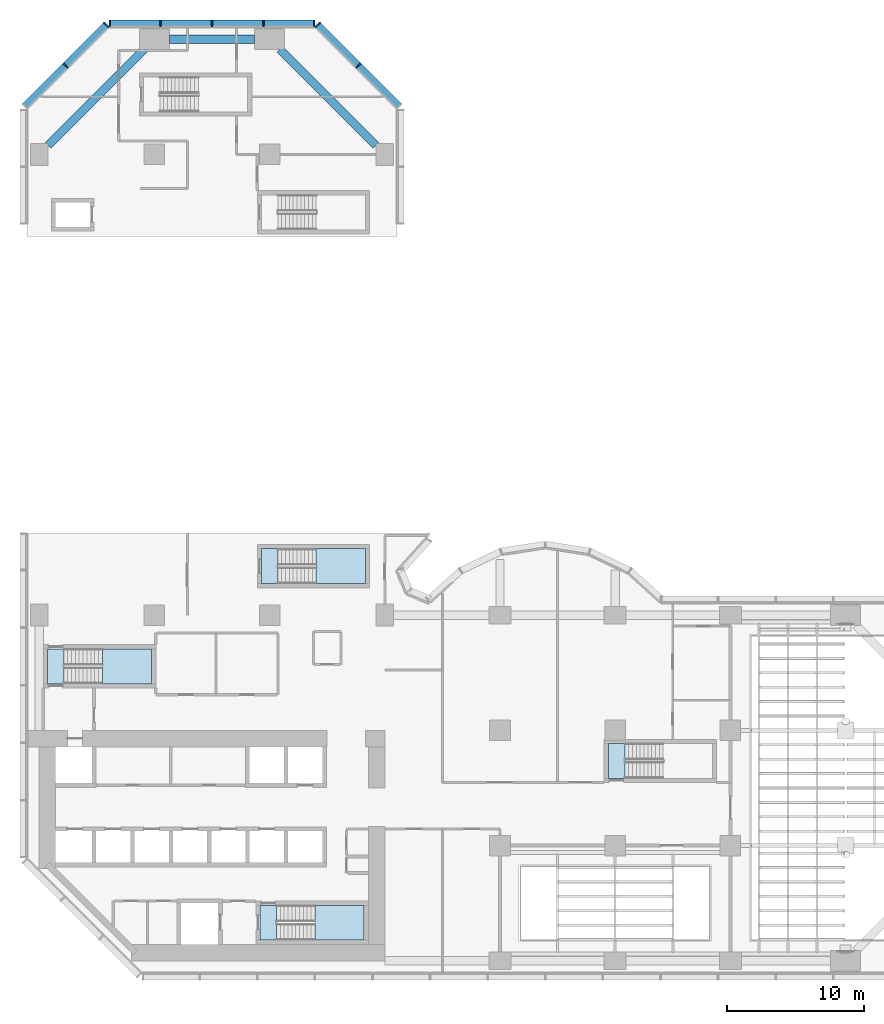
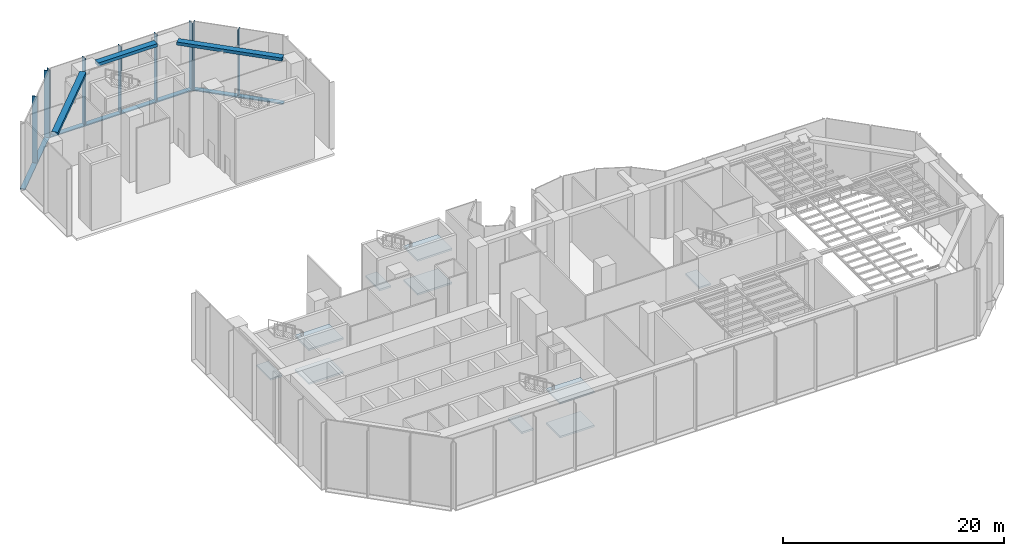
# One storey, part 7 of 22: 12 members, 10 slabs, 3 beams, 7 elements without a shape of their own.
"""IFC4 building model written with IfcOpenShell, lengths in metres."""

from ifc_helpers import new_model, si_unit, direction, frame, origin, origin_2d, place, context, subcontext, project, spatial, polyline, rectangle, outline, extrude, material, layer, layer_set, material_profile, profile_set, type_object, element, aggregate, save


model = new_model("IFC4")

# Units and contexts
model_context = context("Model", 3, precision=1e-05, world=origin(), true_north=direction((0.0, 1.0)))
body_context = subcontext(model_context, "Body", "Model", "MODEL_VIEW")
ifc_project = project(units=[si_unit("LENGTHUNIT", "METRE"), si_unit("AREAUNIT", "SQUARE_METRE"), si_unit("VOLUMEUNIT", "CUBIC_METRE"), si_unit("PLANEANGLEUNIT", "RADIAN"), si_unit("MASSUNIT", "GRAM", prefix="KILO")], contexts=[model_context])

# Site, building, storey
site_placement = place(None, origin())
site = spatial("IfcSite", under=ifc_project, at=site_placement, CompositionType="ELEMENT")
building_placement = place(site_placement, origin())
building = spatial("IfcBuilding", under=site, at=building_placement, Name="Brevane Broadcast Tower", CompositionType="ELEMENT")
storey_placement = place(building_placement, frame((0.0, 0.0, 20.0)))
storey = spatial("IfcBuildingStorey", under=building, at=storey_placement, Name="L03", CompositionType="ELEMENT", Elevation=20.0)

# Curtain wall, members
ifc_material_1 = material(Name="Aluminium 6063-T6 bronze anodised", Category="aluminium")
curtain_wall_type = type_object("IfcCurtainWallType", Name="CW-2 curtain wall", PredefinedType="NOTDEFINED", material=ifc_material_1)
curtain_wall_1_placement = place(storey_placement, origin())
curtain_wall_1 = element("IfcCurtainWall", 1, at=curtain_wall_1_placement, inside=storey, type_object=curtain_wall_type, Name="CW-2 podium base unit L03 north arm north-east chamfer", PredefinedType="NOTDEFINED")
ifc_material_profile_1 = material_profile(ifc_material_1, rectangle(XDim=0.5, YDim=0.090087890625, at=origin_2d()), Name="RECT 90x500")
ifc_profile_set_1 = profile_set([ifc_material_profile_1], Name="Aluminium 6063-T6 bronze anodised")
member_type_1 = type_object("IfcMemberType", Name="CW-2 mullion 90x500", PredefinedType="MULLION", material=ifc_profile_set_1)
member_1_placement = place(storey_placement, frame((23.27685546875, 65.27685546875, -0.1298828125), z_axis=(0.0, 0.0, 1.0), x_axis=(-0.707106781187, -0.707106781187, 0.0)))
member_1 = element("IfcMember", 2, at=member_1_placement, type_object=member_type_1, Name="CW-2 mullion", PredefinedType="MULLION", context=body_context, shape_type="SweptSolid", body=[
    extrude(rectangle(XDim=0.5, YDim=0.090087890625, at=origin_2d()), origin(), (0.0, 0.0, 1.0), 7.3798828125),
])
member_2_placement = place(storey_placement, frame((20.30859375, 68.244873046875, -0.1298828125), z_axis=(0.0, 0.0, 1.0), x_axis=(-0.707106781187, -0.707106781187, 0.0)))
member_2 = element("IfcMember", 3, at=member_2_placement, type_object=member_type_1, Name="CW-2 mullion", PredefinedType="MULLION", context=body_context, shape_type="SweptSolid", body=[
    extrude(rectangle(XDim=0.5, YDim=0.090087890625, at=origin_2d()), origin(), (0.0, 0.0, 1.0), 7.3798828125),
])

curtain_wall_2_placement = place(storey_placement, origin())
curtain_wall_2 = element("IfcCurtainWall", 4, at=curtain_wall_2_placement, inside=storey, type_object=curtain_wall_type, Name="CW-2 podium base unit L03 north end", PredefinedType="NOTDEFINED")
member_3_placement = place(storey_placement, frame((20.054931640625, 68.35009765625, -0.1298828125), z_axis=(0.0, 0.0, 1.0), x_axis=(0.0, -1.0, 0.0)))
member_3 = element("IfcMember", 5, at=member_3_placement, type_object=member_type_1, Name="CW-2 mullion", PredefinedType="MULLION", context=body_context, shape_type="SweptSolid", body=[
    extrude(rectangle(XDim=0.5, YDim=0.090087890625, at=origin_2d()), origin(), (0.0, 0.0, 1.0), 7.3798828125),
])
member_4_placement = place(storey_placement, frame((16.35009765625, 68.35009765625, -0.1298828125), z_axis=(0.0, 0.0, 1.0), x_axis=(0.0, -1.0, 0.0)))
member_4 = element("IfcMember", 6, at=member_4_placement, type_object=member_type_1, Name="CW-2 mullion", PredefinedType="MULLION", context=body_context, shape_type="SweptSolid", body=[
    extrude(rectangle(XDim=0.5, YDim=0.090087890625, at=origin_2d()), origin(), (0.0, 0.0, 1.0), 7.3798828125),
])
member_5_placement = place(storey_placement, frame((12.60009765625, 68.35009765625, -0.1298828125), z_axis=(0.0, 0.0, 1.0), x_axis=(0.0, -1.0, 0.0)))
member_5 = element("IfcMember", 7, at=member_5_placement, type_object=member_type_1, Name="CW-2 mullion", PredefinedType="MULLION", context=body_context, shape_type="SweptSolid", body=[
    extrude(rectangle(XDim=0.5, YDim=0.090087890625, at=origin_2d()), origin(), (0.0, 0.0, 1.0), 7.3798828125),
])
member_6_placement = place(storey_placement, frame((8.85009765625, 68.35009765625, -0.1298828125), z_axis=(0.0, 0.0, 1.0), x_axis=(0.0, -1.0, 0.0)))
member_6 = element("IfcMember", 8, at=member_6_placement, type_object=member_type_1, Name="CW-2 mullion", PredefinedType="MULLION", context=body_context, shape_type="SweptSolid", body=[
    extrude(rectangle(XDim=0.5, YDim=0.090087890625, at=origin_2d()), origin(), (0.0, 0.0, 1.0), 7.3798828125),
])
member_7_placement = place(storey_placement, frame((5.14501953125, 68.35009765625, -0.1298828125), z_axis=(0.0, 0.0, 1.0), x_axis=(0.0, -1.0, 0.0)))
member_7 = element("IfcMember", 9, at=member_7_placement, type_object=member_type_1, Name="CW-2 mullion", PredefinedType="MULLION", context=body_context, shape_type="SweptSolid", body=[
    extrude(rectangle(XDim=0.5, YDim=0.090087890625, at=origin_2d()), origin(), (0.0, 0.0, 1.0), 7.3798828125),
])

curtain_wall_3_placement = place(storey_placement, origin())
curtain_wall_3 = element("IfcCurtainWall", 10, at=curtain_wall_3_placement, inside=storey, type_object=curtain_wall_type, Name="CW-2 podium base unit L03 north-west chamfer", PredefinedType="NOTDEFINED")
member_8_placement = place(storey_placement, frame((4.891357421875, 68.244873046875, -0.1298828125), z_axis=(0.0, 0.0, 1.0), x_axis=(0.707106781187, -0.707106781187, 0.0)))
member_8 = element("IfcMember", 11, at=member_8_placement, type_object=member_type_1, Name="CW-2 mullion", PredefinedType="MULLION", context=body_context, shape_type="SweptSolid", body=[
    extrude(rectangle(XDim=0.5, YDim=0.090087890625, at=origin_2d()), origin(), (0.0, 0.0, 1.0), 7.3798828125),
])
member_9_placement = place(storey_placement, frame((1.92333984375, 65.27685546875, -0.1298828125), z_axis=(0.0, 0.0, 1.0), x_axis=(0.707106781187, -0.707106781187, 0.0)))
member_9 = element("IfcMember", 12, at=member_9_placement, type_object=member_type_1, Name="CW-2 mullion", PredefinedType="MULLION", context=body_context, shape_type="SweptSolid", body=[
    extrude(rectangle(XDim=0.5, YDim=0.090087890625, at=origin_2d()), origin(), (0.0, 0.0, 1.0), 7.3798828125),
])

# Member
ifc_material_profile_2 = material_profile(ifc_material_1, rectangle(XDim=0.5, YDim=0.1201171875, at=origin_2d()), Name="RECT 120x500")
ifc_profile_set_2 = profile_set([ifc_material_profile_2], Name="Aluminium 6063-T6 bronze anodised")
member_type_2 = type_object("IfcMemberType", Name="CW-2 transom 120x500", PredefinedType="USERDEFINED", material=ifc_profile_set_2)
member_10_placement = place(storey_placement, frame((26.27685546875, 62.27685546875, -0.18994140625), z_axis=(-0.707106781187, 0.707106781187, 0.0), x_axis=(-0.707106781187, -0.707106781187, 0.0)))
member_10 = element("IfcMember", 13, at=member_10_placement, type_object=member_type_2, Name="CW-2 transom", ObjectType="TRANSOM", PredefinedType="USERDEFINED", context=body_context, shape_type="SweptSolid", body=[
    extrude(rectangle(XDim=0.5, YDim=0.1201171875, at=origin_2d()), origin(), (0.0, 0.0, 1.0), 8.4853515625),
])

aggregate(curtain_wall_1, [member_1, member_2, member_10])

member_11_placement = place(storey_placement, frame((20.10009765625, 68.35009765625, -0.18994140625), z_axis=(-1.0, 0.0, 0.0), x_axis=(0.0, -1.0, 0.0)))
member_11 = element("IfcMember", 14, at=member_11_placement, type_object=member_type_2, Name="CW-2 transom", ObjectType="TRANSOM", PredefinedType="USERDEFINED", context=body_context, shape_type="SweptSolid", body=[
    extrude(rectangle(XDim=0.5, YDim=0.1201171875, at=origin_2d()), origin(), (0.0, 0.0, 1.0), 15.0),
])

aggregate(curtain_wall_2, [member_3, member_4, member_5, member_6, member_7, member_11])

member_12_placement = place(storey_placement, frame((4.92333984375, 68.27685546875, -0.18994140625), z_axis=(-0.707106781187, -0.707106781187, 0.0), x_axis=(0.707106781187, -0.707106781187, 0.0)))
member_12 = element("IfcMember", 15, at=member_12_placement, type_object=member_type_2, Name="CW-2 transom", ObjectType="TRANSOM", PredefinedType="USERDEFINED", context=body_context, shape_type="SweptSolid", body=[
    extrude(rectangle(XDim=0.5, YDim=0.1201171875, at=origin_2d()), origin(), (0.0, 0.0, 1.0), 8.4853515625),
])

aggregate(curtain_wall_3, [member_8, member_9, member_12])

# Beams
ifc_material_2 = material(Name="Concrete C40/50", Category="concrete")
ifc_material_profile_3 = material_profile(ifc_material_2, rectangle(XDim=0.60009765625, YDim=0.35009765625, at=origin_2d()), Name="RC 600x350")
ifc_profile_set_3 = profile_set([ifc_material_profile_3], Name="Concrete C40/50")
beam_type = type_object("IfcBeamType", Name="RC SPANDREL BEAM 600x350 C40/50", PredefinedType="SPANDREL", material=ifc_profile_set_3)
beam_1_placement = place(storey_placement, frame((24.550048828125, 59.449951171875, 7.074951171875), z_axis=(-0.707106781187, 0.707106781187, 0.0), x_axis=(-0.707106781187, -0.707106781187, 0.0)))
element("IfcBeam", 16, at=beam_1_placement, inside=storey, type_object=beam_type, Name="EB1 L03-12", PredefinedType="SPANDREL", context=body_context, shape_type="SweptSolid", body=[
    extrude(rectangle(XDim=0.60009765625, YDim=0.35009765625, at=origin_2d()), origin(), (0.0, 0.0, 1.0), 9.8994140625),
])
beam_2_placement = place(storey_placement, frame((15.699951171875, 67.199951171875, 7.074951171875), z_axis=(-1.0, 0.0, 0.0), x_axis=(0.0, -1.0, 0.0)))
element("IfcBeam", 17, at=beam_2_placement, inside=storey, type_object=beam_type, Name="EB1 L03-13", PredefinedType="SPANDREL", context=body_context, shape_type="SweptSolid", body=[
    extrude(rectangle(XDim=0.60009765625, YDim=0.35009765625, at=origin_2d()), origin(), (0.0, 0.0, 1.0), 6.199951171875),
])
beam_3_placement = place(storey_placement, frame((7.64990234375, 66.449951171875, 7.074951171875), z_axis=(-0.707106781187, -0.707106781187, 0.0), x_axis=(0.707106781187, -0.707106781187, 0.0)))
element("IfcBeam", 18, at=beam_3_placement, inside=storey, type_object=beam_type, Name="EB1 L03-14", PredefinedType="SPANDREL", context=body_context, shape_type="SweptSolid", body=[
    extrude(rectangle(XDim=0.60009765625, YDim=0.35009765625, at=origin_2d()), origin(), (0.0, 0.0, 1.0), 9.8994140625),
])

# Stair, slabs
ifc_material_3 = material(Name="Concrete C50/60", Category="concrete")
stair_type = type_object("IfcStairType", Name="Exit stair 44 risers", PredefinedType="HALF_TURN_STAIR", material=ifc_material_3)
stair_1_placement = place(storey_placement, origin())
stair_1 = element("IfcStair", 19, at=stair_1_placement, inside=storey, type_object=stair_type, Name="L03 Exit stair ST-1", PredefinedType="HALF_TURN_STAIR")
ifc_layer = layer(ifc_material_3, 0.199951171875)
ifc_layer_set = layer_set([ifc_layer], Name="Exit stair landing")
slab_type = type_object("IfcSlabType", Name="Exit stair landing", PredefinedType="LANDING", material=ifc_layer_set)
slab_1_placement = place(storey_placement, frame((0.0, 0.0, 1.675048828125)))
slab_1 = element("IfcSlab", 20, at=slab_1_placement, type_object=slab_type, Name="ST-1 landing 1", PredefinedType="LANDING", context=body_context, shape_type="SweptSolid", body=[
    extrude(outline(polyline([(4.60009765625, 20.199951171875), (8.199951171875, 20.199951171875), (8.199951171875, 22.75), (4.60009765625, 22.75), (4.60009765625, 20.199951171875)])), origin(), (0.0, 0.0, 1.0), 0.199951171875),
])
slab_2_placement = place(storey_placement, frame((0.0, 0.0, 3.550048828125)))
slab_2 = element("IfcSlab", 21, at=slab_2_placement, type_object=slab_type, Name="ST-1 landing 2", PredefinedType="LANDING", context=body_context, shape_type="SweptSolid", body=[
    extrude(outline(polyline([(0.60009765625, 20.199951171875), (1.800048828125, 20.199951171875), (1.800048828125, 22.75), (0.60009765625, 22.75), (0.60009765625, 20.199951171875)])), origin(), (0.0, 0.0, 1.0), 0.199951171875),
])
slab_3_placement = place(storey_placement, frame((0.0, 0.0, 5.425048828125)))
slab_3 = element("IfcSlab", 22, at=slab_3_placement, type_object=slab_type, Name="ST-1 landing 3", PredefinedType="LANDING", context=body_context, shape_type="SweptSolid", body=[
    extrude(outline(polyline([(4.60009765625, 20.199951171875), (8.199951171875, 20.199951171875), (8.199951171875, 22.75), (4.60009765625, 22.75), (4.60009765625, 20.199951171875)])), origin(), (0.0, 0.0, 1.0), 0.199951171875),
])
aggregate(stair_1, [slab_1, slab_2, slab_3])

stair_2_placement = place(storey_placement, origin())
stair_2 = element("IfcStair", 23, at=stair_2_placement, inside=storey, type_object=stair_type, Name="L03 Exit stair ST-2", PredefinedType="HALF_TURN_STAIR")
slab_4_placement = place(storey_placement, frame((0.0, 0.0, 1.675048828125)))
slab_4 = element("IfcSlab", 24, at=slab_4_placement, type_object=slab_type, Name="ST-2 landing 1", PredefinedType="LANDING", context=body_context, shape_type="SweptSolid", body=[
    extrude(outline(polyline([(20.10009765625, 1.5), (23.699951171875, 1.5), (23.699951171875, 4.050048828125), (20.10009765625, 4.050048828125), (20.10009765625, 1.5)])), origin(), (0.0, 0.0, 1.0), 0.199951171875),
])
slab_5_placement = place(storey_placement, frame((0.0, 0.0, 3.550048828125)))
slab_5 = element("IfcSlab", 25, at=slab_5_placement, type_object=slab_type, Name="ST-2 landing 2", PredefinedType="LANDING", context=body_context, shape_type="SweptSolid", body=[
    extrude(outline(polyline([(16.10009765625, 1.5), (17.300048828125, 1.5), (17.300048828125, 4.050048828125), (16.10009765625, 4.050048828125), (16.10009765625, 1.5)])), origin(), (0.0, 0.0, 1.0), 0.199951171875),
])
slab_6_placement = place(storey_placement, frame((0.0, 0.0, 5.425048828125)))
slab_6 = element("IfcSlab", 26, at=slab_6_placement, type_object=slab_type, Name="ST-2 landing 3", PredefinedType="LANDING", context=body_context, shape_type="SweptSolid", body=[
    extrude(outline(polyline([(20.10009765625, 1.5), (23.699951171875, 1.5), (23.699951171875, 4.050048828125), (20.10009765625, 4.050048828125), (20.10009765625, 1.5)])), origin(), (0.0, 0.0, 1.0), 0.199951171875),
])
aggregate(stair_2, [slab_4, slab_5, slab_6])

stair_3_placement = place(storey_placement, origin())
stair_3 = element("IfcStair", 27, at=stair_3_placement, inside=storey, type_object=stair_type, Name="L03 Exit stair ST-3", PredefinedType="HALF_TURN_STAIR")
slab_7_placement = place(storey_placement, frame((0.0, 0.0, 1.675048828125)))
slab_7 = element("IfcSlab", 28, at=slab_7_placement, type_object=slab_type, Name="ST-3 landing 1", PredefinedType="LANDING", context=body_context, shape_type="SweptSolid", body=[
    extrude(outline(polyline([(20.199951171875, 27.5), (23.800048828125, 27.5), (23.800048828125, 30.050048828125), (20.199951171875, 30.050048828125), (20.199951171875, 27.5)])), origin(), (0.0, 0.0, 1.0), 0.199951171875),
])
slab_8_placement = place(storey_placement, frame((0.0, 0.0, 3.550048828125)))
slab_8 = element("IfcSlab", 29, at=slab_8_placement, type_object=slab_type, Name="ST-3 landing 2", PredefinedType="LANDING", context=body_context, shape_type="SweptSolid", body=[
    extrude(outline(polyline([(16.199951171875, 27.5), (17.39990234375, 27.5), (17.39990234375, 30.050048828125), (16.199951171875, 30.050048828125), (16.199951171875, 27.5)])), origin(), (0.0, 0.0, 1.0), 0.199951171875),
])
slab_9_placement = place(storey_placement, frame((0.0, 0.0, 5.425048828125)))
slab_9 = element("IfcSlab", 30, at=slab_9_placement, type_object=slab_type, Name="ST-3 landing 3", PredefinedType="LANDING", context=body_context, shape_type="SweptSolid", body=[
    extrude(outline(polyline([(20.199951171875, 27.5), (23.800048828125, 27.5), (23.800048828125, 30.050048828125), (20.199951171875, 30.050048828125), (20.199951171875, 27.5)])), origin(), (0.0, 0.0, 1.0), 0.199951171875),
])
aggregate(stair_3, [slab_7, slab_8, slab_9])

# Stair, slab
stair_4_placement = place(storey_placement, origin())
stair_4 = element("IfcStair", 31, at=stair_4_placement, inside=storey, type_object=stair_type, Name="L03 Exit stair ST-4", PredefinedType="HALF_TURN_STAIR")
slab_10_placement = place(storey_placement, frame((0.0, 0.0, 3.550048828125)))
slab_10 = element("IfcSlab", 32, at=slab_10_placement, type_object=slab_type, Name="ST-4 landing 2", PredefinedType="LANDING", context=body_context, shape_type="SweptSolid", body=[
    extrude(outline(polyline([(41.5, 13.300048828125), (42.699951171875, 13.300048828125), (42.699951171875, 15.85009765625), (41.5, 15.85009765625), (41.5, 13.300048828125)])), origin(), (0.0, 0.0, 1.0), 0.199951171875),
])
aggregate(stair_4, [slab_10])

save(model, "model.ifc")
